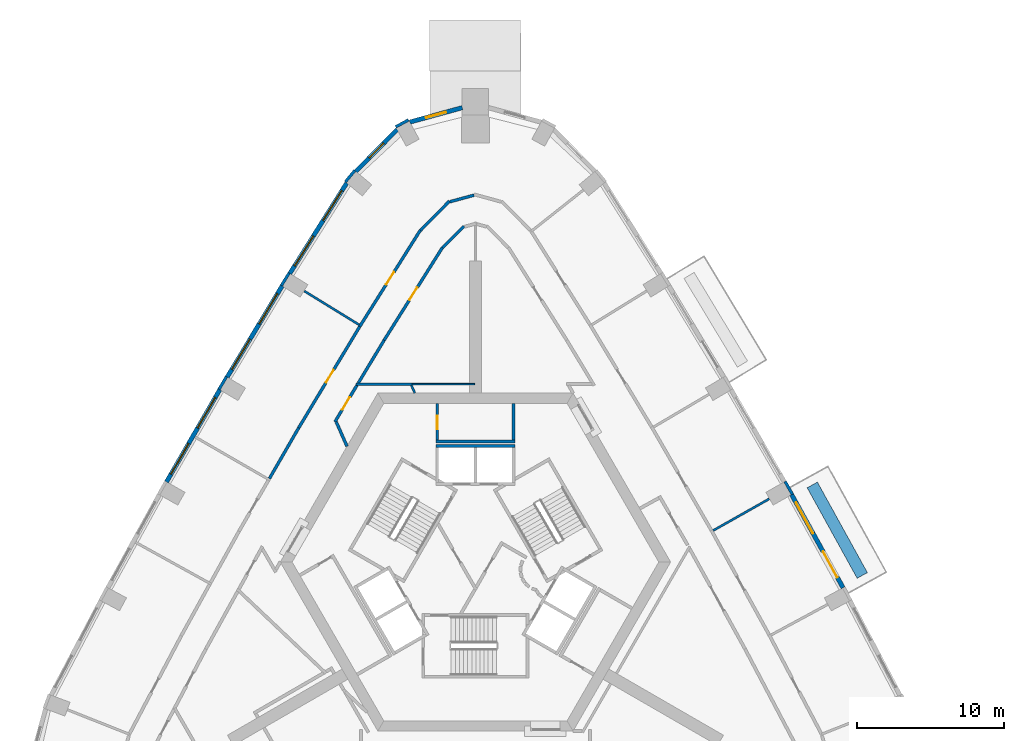
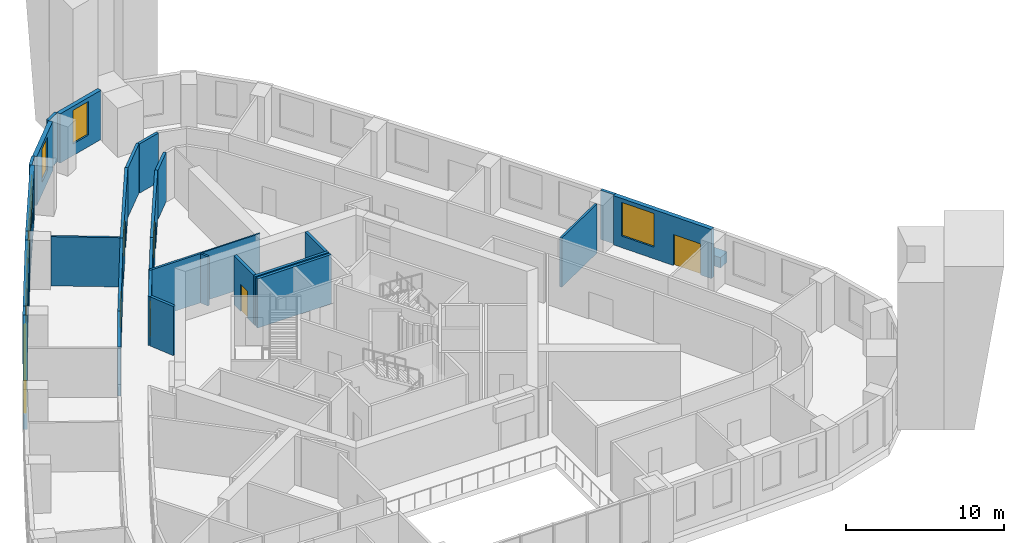
# One storey, part 8 of 13: 31 walls, 9 windows, 6 doors, 15 openings.
"""IFC4 building model written with IfcOpenShell, lengths in metres."""

from ifc_helpers import new_model, si_unit, direction, frame, frame_2d, origin, place, context, subcontext, project, spatial, rectangle, extrude, material, layer, layer_set, type_object, element, fill, save


model = new_model("IFC4")

# Units and contexts
model_context = context("Model", 3, precision=1e-05, world=origin(), true_north=direction((0.0, 1.0)))
body_context = subcontext(model_context, "Body", "Model", "MODEL_VIEW")
ifc_project = project(units=[si_unit("LENGTHUNIT", "METRE"), si_unit("AREAUNIT", "SQUARE_METRE"), si_unit("VOLUMEUNIT", "CUBIC_METRE"), si_unit("PLANEANGLEUNIT", "RADIAN"), si_unit("MASSUNIT", "GRAM", prefix="KILO")], contexts=[model_context])

# Site, building, storey
site_placement = place(None, origin())
site = spatial("IfcSite", under=ifc_project, at=site_placement, CompositionType="ELEMENT")
building_placement = place(site_placement, origin())
building = spatial("IfcBuilding", under=site, at=building_placement, Name="Entoto Arch Interchange Tower", CompositionType="ELEMENT")
storey_placement = place(building_placement, frame((0.0, 0.0, 202.39990234375)))
storey = spatial("IfcBuildingStorey", under=building, at=storey_placement, Name="L45", CompositionType="ELEMENT", Elevation=202.39990234375)

# Walls
ifc_material_1 = material(Name="Concrete C40/50", Category="concrete")
ifc_layer_1 = layer(ifc_material_1, 0.199951171875)
ifc_layer_set_1 = layer_set([ifc_layer_1], Name="Concrete C40/50")
wall_type_1 = type_object("IfcWallType", Name="LIFT SHAFT WALL 200", PredefinedType="STANDARD", material=ifc_layer_set_1)
wall_1_placement = place(storey_placement, frame((2.699951171875, 10.39990234375, 0.0), z_axis=(0.0, 0.0, 1.0), x_axis=(-1.0, 0.0, 0.0)))
element("IfcWall", 1, at=wall_1_placement, inside=storey, type_object=wall_type_1, Name="Shaft wall N1 back", PredefinedType="STANDARD", context=body_context, shape_type="SweptSolid", body=[
    extrude(rectangle(XDim=5.39990234375, YDim=0.199951171875, at=frame_2d((2.699951171875, 0.0))), origin(), (0.0, 0.0, 1.0), 3.800048828125),
])
ifc_material_2 = material(Name="Gypsum board partition on steel studs", Category="steel")
ifc_layer_2 = layer(ifc_material_2, 0.10009765625)
ifc_layer_set_2 = layer_set([ifc_layer_2], Name="Gypsum board partition on steel studs")
wall_type_2 = type_object("IfcWallType", Name="PARTITION 100", PredefinedType="PARTITIONING", material=ifc_layer_set_2)
wall_2_placement = place(storey_placement, frame((-4.31591796875, 14.612060546875, 0.0), z_axis=(0.0, 0.0, 1.0), x_axis=(1.0, 0.0, 0.0)))
element("IfcWall", 2, at=wall_2_placement, inside=storey, type_object=wall_type_2, Name="wall:L45:p097", PredefinedType="PARTITIONING", context=body_context, shape_type="SweptSolid", body=[
    extrude(rectangle(XDim=4.265869140625, YDim=0.10009765625, at=frame_2d((2.1328125, 0.0))), origin(), (0.0, 0.0, 1.0), 3.800048828125),
])
ifc_layer_3 = layer(ifc_material_2, 0.14990234375)
ifc_layer_set_3 = layer_set([ifc_layer_3], Name="Gypsum board partition on steel studs")
wall_type_3 = type_object("IfcWallType", Name="PARTITION 150", PredefinedType="PARTITIONING", material=ifc_layer_set_3)
wall_3_placement = place(storey_placement, frame((-4.125, 14.0, 0.0), z_axis=(0.0, 0.0, 1.0), x_axis=(-0.404850841056, 0.914382740703, 0.0)))
element("IfcWall", 3, at=wall_3_placement, inside=storey, type_object=wall_type_3, Name="wall:L45:p075", PredefinedType="PARTITIONING", context=body_context, shape_type="SweptSolid", body=[
    extrude(rectangle(XDim=0.580810546875, YDim=0.14990234375, at=frame_2d((0.29052734375, 0.0))), origin(), (0.0, 0.0, 1.0), 3.800048828125),
])
wall_4_placement = place(storey_placement, frame((-4.31591796875, 14.60009765625, 0.0), z_axis=(0.0, 0.0, 1.0), x_axis=(-1.0, 0.0, 0.0)))
element("IfcWall", 4, at=wall_4_placement, inside=storey, type_object=wall_type_3, Name="wall:L45:p076", PredefinedType="PARTITIONING", context=body_context, shape_type="SweptSolid", body=[
    extrude(rectangle(XDim=3.802001953125, YDim=0.14990234375, at=frame_2d((1.90087890625, 0.0))), origin(), (0.0, 0.0, 1.0), 3.800048828125),
])
wall_5_placement = place(storey_placement, frame((16.174072265625, 4.64599609375, 0.0), z_axis=(0.0, 0.0, 1.0), x_axis=(0.870725770229, 0.491768881752, 0.0)))
element("IfcWall", 5, at=wall_5_placement, inside=storey, type_object=wall_type_3, Name="wall:L45:p113", PredefinedType="PARTITIONING", context=body_context, shape_type="SweptSolid", body=[
    extrude(rectangle(XDim=4.380126953125, YDim=0.14990234375, at=frame_2d((2.18994140625, 0.0))), origin(), (0.0, 0.0, 1.0), 3.800048828125),
])
wall_6_placement = place(storey_placement, frame((-7.916015625, 18.64404296875, 0.0), z_axis=(0.0, 0.0, 1.0), x_axis=(-0.851543444049, 0.524284047914, 0.0)))
element("IfcWall", 6, at=wall_6_placement, inside=storey, type_object=wall_type_3, Name="wall:L45:p117", PredefinedType="PARTITIONING", context=body_context, shape_type="SweptSolid", body=[
    extrude(rectangle(XDim=4.379150390625, YDim=0.14990234375, at=frame_2d((2.189453125, 0.0))), origin(), (0.0, 0.0, 1.0), 3.800048828125),
])

# Wall, opening, door
ifc_layer_4 = layer(ifc_material_2, 0.199951171875)
ifc_layer_set_4 = layer_set([ifc_layer_4], Name="Gypsum board partition on steel studs")
wall_type_4 = type_object("IfcWallType", Name="PARTITION 200", PredefinedType="PARTITIONING", material=ifc_layer_set_4)
wall_7_placement = place(storey_placement, frame((-8.056884765625, 14.535888671875, 0.0), z_axis=(0.0, 0.0, 1.0), x_axis=(-0.516268010323, -0.856427078926, 0.0)))
wall_7 = element("IfcWall", 7, at=wall_7_placement, inside=storey, type_object=wall_type_4, Name="wall:L45:p001", PredefinedType="PARTITIONING", context=body_context, shape_type="SweptSolid", body=[
    extrude(rectangle(XDim=2.915283203125, YDim=0.199951171875, at=frame_2d((1.45751953125, 0.0))), origin(), (0.0, 0.0, 1.0), 3.800048828125),
])
opening_1_placement = place(wall_7_placement, frame((0.9580078125, 0.0, 0.0)))
opening_1 = element("IfcOpeningElement", 8, at=opening_1_placement, cuts=wall_7, Name="Opening L45-D25", PredefinedType="OPENING", context=body_context, shape_type="SweptSolid", body=[
    extrude(rectangle(XDim=1.0, YDim=2.10009765625, at=frame_2d((0.5, 1.050048828125))), frame((0.0, 0.10986328125, 0.0), z_axis=(0.0, -1.0, 0.0), x_axis=(1.0, 0.0, 0.0)), (0.0, 0.0, 1.0), 0.219970703125),
])
ifc_material_3 = material(Name="Timber door leaf in Steel S235 frame", Category="steel")
door_type_1 = type_object("IfcDoorType", Name="DOOR DS-10 1000x2100", OperationType="SINGLE_SWING_LEFT", PredefinedType="DOOR", material=ifc_material_3)
door_1_placement = place(opening_1_placement, origin())
door_1 = element("IfcDoor", 9, at=door_1_placement, inside=storey, type_object=door_type_1, Name="door:L45:25", OperationType="SINGLE_SWING_LEFT", OverallHeight=2.10009765625, OverallWidth=1.0, PredefinedType="DOOR", context=body_context, shape_type="SweptSolid", body=[
    extrude(rectangle(XDim=1.0, YDim=2.10009765625, at=frame_2d((0.5, 1.050048828125))), frame((0.0, 0.02490234375, 0.0), z_axis=(0.0, -1.0, 0.0), x_axis=(1.0, 0.0, 0.0)), (0.0, 0.0, 1.0), 0.050048828125),
])
fill(opening_1, door_1)

# Walls
wall_8_placement = place(storey_placement, frame((-9.469970703125, 12.032958984375, 0.0), z_axis=(0.0, 0.0, 1.0), x_axis=(0.40441741061, -0.914574522931, 0.0)))
element("IfcWall", 10, at=wall_8_placement, inside=storey, type_object=wall_type_4, Name="wall:L45:p002", PredefinedType="PARTITIONING", context=body_context, shape_type="SweptSolid", body=[
    extrude(rectangle(XDim=1.817138671875, YDim=0.199951171875, at=frame_2d((0.90869140625, 0.0))), origin(), (0.0, 0.0, 1.0), 3.800048828125),
])
wall_9_placement = place(storey_placement, frame((-0.778076171875, 25.35791015625, 0.0), z_axis=(0.0, 0.0, 1.0), x_axis=(-0.702245482258, -0.711934886523, 0.0)))
element("IfcWall", 11, at=wall_9_placement, inside=storey, type_object=wall_type_4, Name="wall:L45:p012", PredefinedType="PARTITIONING", context=body_context, shape_type="SweptSolid", body=[
    extrude(rectangle(XDim=2.066162109375, YDim=0.199951171875, at=frame_2d((1.033203125, 0.0))), origin(), (0.0, 0.0, 1.0), 3.800048828125),
])

# Wall, opening, door
wall_10_placement = place(storey_placement, frame((-2.24609375, 23.89990234375, 0.0), z_axis=(0.0, 0.0, 1.0), x_axis=(-0.532527247309, -0.846412860768, 0.0)))
wall_10 = element("IfcWall", 12, at=wall_10_placement, inside=storey, type_object=wall_type_4, Name="wall:L45:p013", PredefinedType="PARTITIONING", context=body_context, shape_type="SweptSolid", body=[
    extrude(rectangle(XDim=7.448974609375, YDim=0.199951171875, at=frame_2d((3.724609375, 0.0))), origin(), (0.0, 0.0, 1.0), 3.800048828125),
])
opening_2_placement = place(wall_10_placement, frame((3.22509765625, 0.0, 0.0)))
opening_2 = element("IfcOpeningElement", 13, at=opening_2_placement, cuts=wall_10, Name="Opening L45-D18", PredefinedType="OPENING", context=body_context, shape_type="SweptSolid", body=[
    extrude(rectangle(XDim=1.0, YDim=2.10009765625, at=frame_2d((0.5, 1.050048828125))), frame((0.0, 0.10986328125, 0.0), z_axis=(0.0, -1.0, 0.0), x_axis=(1.0, 0.0, 0.0)), (0.0, 0.0, 1.0), 0.219970703125),
])
door_2_placement = place(opening_2_placement, origin())
door_2 = element("IfcDoor", 14, at=door_2_placement, inside=storey, type_object=door_type_1, Name="door:L45:18", OperationType="SINGLE_SWING_LEFT", OverallHeight=2.10009765625, OverallWidth=1.0, PredefinedType="DOOR", context=body_context, shape_type="SweptSolid", body=[
    extrude(rectangle(XDim=1.0, YDim=2.10009765625, at=frame_2d((0.5, 1.050048828125))), frame((0.0, 0.02490234375, 0.0), z_axis=(0.0, -1.0, 0.0), x_axis=(1.0, 0.0, 0.0)), (0.0, 0.0, 1.0), 0.050048828125),
])
fill(opening_2, door_2)

# Wall
wall_11_placement = place(storey_placement, frame((-6.212890625, 17.594970703125, 0.0), z_axis=(0.0, 0.0, 1.0), x_axis=(-0.516121112316, -0.856515614231, 0.0)))
element("IfcWall", 15, at=wall_11_placement, inside=storey, type_object=wall_type_4, Name="wall:L45:p014", PredefinedType="PARTITIONING", context=body_context, shape_type="SweptSolid", body=[
    extrude(rectangle(XDim=3.421875, YDim=0.199951171875, at=frame_2d((1.7109375, 0.0))), origin(), (0.0, 0.0, 1.0), 3.800048828125),
])

# Wall, opening, door
wall_12_placement = place(storey_placement, frame((-7.87109375, 18.528076171875, 0.0), z_axis=(0.0, 0.0, 1.0), x_axis=(0.532587642146, 0.846374859878, 0.0)))
wall_12 = element("IfcWall", 16, at=wall_12_placement, inside=storey, type_object=wall_type_4, Name="wall:L45:p048", PredefinedType="PARTITIONING", context=body_context, shape_type="SweptSolid", body=[
    extrude(rectangle(XDim=7.749267578125, YDim=0.199951171875, at=frame_2d((3.87451171875, 0.0))), origin(), (0.0, 0.0, 1.0), 3.800048828125),
])
opening_3_placement = place(wall_12_placement, frame((3.375, 0.0, 0.0)))
opening_3 = element("IfcOpeningElement", 17, at=opening_3_placement, cuts=wall_12, Name="Opening L45-D09", PredefinedType="OPENING", context=body_context, shape_type="SweptSolid", body=[
    extrude(rectangle(XDim=1.0, YDim=2.10009765625, at=frame_2d((0.5, 1.050048828125))), frame((0.0, 0.10986328125, 0.0), z_axis=(0.0, -1.0, 0.0), x_axis=(1.0, 0.0, 0.0)), (0.0, 0.0, 1.0), 0.219970703125),
])
door_3_placement = place(opening_3_placement, origin())
door_3 = element("IfcDoor", 18, at=door_3_placement, inside=storey, type_object=door_type_1, Name="door:L45:09", OperationType="SINGLE_SWING_LEFT", OverallHeight=2.10009765625, OverallWidth=1.0, PredefinedType="DOOR", context=body_context, shape_type="SweptSolid", body=[
    extrude(rectangle(XDim=1.0, YDim=2.10009765625, at=frame_2d((0.5, 1.050048828125))), frame((0.0, 0.02490234375, 0.0), z_axis=(0.0, -1.0, 0.0), x_axis=(1.0, 0.0, 0.0)), (0.0, 0.0, 1.0), 0.050048828125),
])
fill(opening_3, door_3)

# Walls
wall_13_placement = place(storey_placement, frame((-3.72705078125, 25.073974609375, 0.0), z_axis=(0.0, 0.0, 1.0), x_axis=(0.702089218366, 0.712088989842, 0.0)))
element("IfcWall", 19, at=wall_13_placement, inside=storey, type_object=wall_type_4, Name="wall:L45:p049", PredefinedType="PARTITIONING", context=body_context, shape_type="SweptSolid", body=[
    extrude(rectangle(XDim=2.783203125, YDim=0.199951171875, at=frame_2d((1.3916015625, 0.0))), origin(), (0.0, 0.0, 1.0), 3.800048828125),
])
wall_14_placement = place(storey_placement, frame((-1.7470703125, 27.010986328125, 0.0), z_axis=(0.0, 0.0, 1.0), x_axis=(0.96452646446, 0.263986172662, 0.0)))
element("IfcWall", 20, at=wall_14_placement, inside=storey, type_object=wall_type_4, Name="wall:L45:p050", PredefinedType="PARTITIONING", context=body_context, shape_type="SweptSolid", body=[
    extrude(rectangle(XDim=1.7119140625, YDim=0.199951171875, at=frame_2d((0.85595703125, 0.0))), origin(), (0.0, 0.0, 1.0), 3.800048828125),
])
wall_15_placement = place(storey_placement, frame((-14.01904296875, 8.179931640625, 0.0), z_axis=(0.0, 0.0, 1.0), x_axis=(0.500089897431, 0.865973495257, 0.0)))
element("IfcWall", 21, at=wall_15_placement, inside=storey, type_object=wall_type_4, Name="wall:L45:p053", PredefinedType="PARTITIONING", context=body_context, shape_type="SweptSolid", body=[
    extrude(rectangle(XDim=3.987548828125, YDim=0.199951171875, at=frame_2d((1.99365234375, 0.0))), origin(), (0.0, 0.0, 1.0), 3.800048828125),
])

# Wall, opening, door
wall_16_placement = place(storey_placement, frame((-12.02490234375, 11.633056640625, 0.0), z_axis=(0.0, 0.0, 1.0), x_axis=(0.516283129542, 0.856417964636, 0.0)))
wall_16 = element("IfcWall", 22, at=wall_16_placement, inside=storey, type_object=wall_type_4, Name="wall:L45:p054", PredefinedType="PARTITIONING", context=body_context, shape_type="SweptSolid", body=[
    extrude(rectangle(XDim=8.0498046875, YDim=0.199951171875, at=frame_2d((4.02490234375, 0.0))), origin(), (0.0, 0.0, 1.0), 3.800048828125),
])
opening_4_placement = place(wall_16_placement, frame((3.60009765625, 0.0, 0.0)))
opening_4 = element("IfcOpeningElement", 23, at=opening_4_placement, cuts=wall_16, Name="Opening L45-D10", PredefinedType="OPENING", context=body_context, shape_type="SweptSolid", body=[
    extrude(rectangle(XDim=1.0, YDim=2.10009765625, at=frame_2d((0.5, 1.050048828125))), frame((0.0, 0.10986328125, 0.0), z_axis=(0.0, -1.0, 0.0), x_axis=(1.0, 0.0, 0.0)), (0.0, 0.0, 1.0), 0.219970703125),
])
door_4_placement = place(opening_4_placement, origin())
door_4 = element("IfcDoor", 24, at=door_4_placement, inside=storey, type_object=door_type_1, Name="door:L45:10", OperationType="SINGLE_SWING_LEFT", OverallHeight=2.10009765625, OverallWidth=1.0, PredefinedType="DOOR", context=body_context, shape_type="SweptSolid", body=[
    extrude(rectangle(XDim=1.0, YDim=2.10009765625, at=frame_2d((0.5, 1.050048828125))), frame((0.0, 0.02490234375, 0.0), z_axis=(0.0, -1.0, 0.0), x_axis=(1.0, 0.0, 0.0)), (0.0, 0.0, 1.0), 0.050048828125),
])
fill(opening_4, door_4)

wall_17_placement = place(storey_placement, frame((-2.60009765625, 10.800048828125, 0.0), z_axis=(0.0, 0.0, 1.0), x_axis=(0.0, 1.0, 0.0)))
wall_17 = element("IfcWall", 25, at=wall_17_placement, inside=storey, type_object=wall_type_4, Name="wall:L45:p066", PredefinedType="PARTITIONING", context=body_context, shape_type="SweptSolid", body=[
    extrude(rectangle(XDim=2.5, YDim=0.199951171875, at=frame_2d((1.25, 0.0))), origin(), (0.0, 0.0, 1.0), 3.800048828125),
])
opening_5_placement = place(wall_17_placement, frame((0.75, 0.0, 0.0)))
opening_5 = element("IfcOpeningElement", 26, at=opening_5_placement, cuts=wall_17, Name="Opening L45-D29", PredefinedType="OPENING", context=body_context, shape_type="SweptSolid", body=[
    extrude(rectangle(XDim=0.89990234375, YDim=2.10009765625, at=frame_2d((0.449951171875, 1.050048828125))), frame((0.0, 0.10986328125, 0.0), z_axis=(0.0, -1.0, 0.0), x_axis=(1.0, 0.0, 0.0)), (0.0, 0.0, 1.0), 0.219970703125),
])
door_type_2 = type_object("IfcDoorType", Name="DOOR DS-09 900x2100", OperationType="SINGLE_SWING_LEFT", PredefinedType="DOOR", material=ifc_material_3)
door_5_placement = place(opening_5_placement, origin())
door_5 = element("IfcDoor", 27, at=door_5_placement, inside=storey, type_object=door_type_2, Name="door:L45:29", OperationType="SINGLE_SWING_RIGHT", OverallHeight=2.10009765625, OverallWidth=0.89990234375, PredefinedType="DOOR", context=body_context, shape_type="SweptSolid", body=[
    extrude(rectangle(XDim=0.89990234375, YDim=2.10009765625, at=frame_2d((0.449951171875, 1.050048828125))), frame((0.0, 0.02490234375, 0.0), z_axis=(0.0, -1.0, 0.0), x_axis=(1.0, 0.0, 0.0)), (0.0, 0.0, 1.0), 0.050048828125),
])
fill(opening_5, door_5)

# Walls
wall_18_placement = place(storey_placement, frame((2.60009765625, 13.300048828125, 0.0), z_axis=(0.0, 0.0, 1.0), x_axis=(0.0, -1.0, 0.0)))
element("IfcWall", 28, at=wall_18_placement, inside=storey, type_object=wall_type_4, Name="wall:L45:p067", PredefinedType="PARTITIONING", context=body_context, shape_type="SweptSolid", body=[
    extrude(rectangle(XDim=2.5, YDim=0.199951171875, at=frame_2d((1.25, 0.0))), origin(), (0.0, 0.0, 1.0), 3.800048828125),
])
wall_19_placement = place(storey_placement, frame((2.699951171875, 10.699951171875, 0.0), z_axis=(0.0, 0.0, 1.0), x_axis=(-1.0, 0.0, 0.0)))
element("IfcWall", 29, at=wall_19_placement, inside=storey, type_object=wall_type_4, Name="wall:L45:p068", PredefinedType="PARTITIONING", context=body_context, shape_type="SweptSolid", body=[
    extrude(rectangle(XDim=5.39990234375, YDim=0.199951171875, at=frame_2d((2.699951171875, 0.0))), origin(), (0.0, 0.0, 1.0), 3.800048828125),
])
ifc_material_4 = material(Name="Board-marked precast concrete C50/60", Category="concrete")
ifc_layer_5 = layer(ifc_material_4, 0.800048828125)
ifc_layer_set_5 = layer_set([ifc_layer_5], Name="Board-marked precast concrete C50/60")
wall_type_5 = type_object("IfcWallType", Name="PLANTER RC 800 Olea europaea subsp. cuspidata", PredefinedType="STANDARD", material=ifc_layer_set_5)
wall_20_placement = place(storey_placement, frame((26.318115234375, 1.5869140625, 0.0), z_axis=(0.0, 0.0, 1.0), x_axis=(-0.483435790988, 0.875379823843, 0.0)))
element("IfcWall", 30, at=wall_20_placement, inside=storey, type_object=wall_type_5, Name="Planter NE-02 L45", PredefinedType="STANDARD", context=body_context, shape_type="SweptSolid", body=[
    extrude(rectangle(XDim=7.039306640625, YDim=0.800048828125, at=frame_2d((3.51953125, 0.0))), origin(), (0.0, 0.0, 1.0), 0.800048828125),
])

# Wall, openings, door, window
ifc_material_5 = material(Name="Welded tuff (ignimbrite) cladding, warm buff", Category="masonry")
ifc_layer_6 = layer(ifc_material_5, 0.300048828125)
ifc_layer_set_6 = layer_set([ifc_layer_6], Name="Welded tuff (ignimbrite) cladding, warm buff")
wall_type_6 = type_object("IfcWallType", Name="STONE INFILL WALL 300", PredefinedType="STANDARD", material=ifc_layer_set_6)
wall_21_placement = place(storey_placement, frame((25.010009765625, 0.7509765625, 0.0), z_axis=(0.0, 0.0, 1.0), x_axis=(-0.483590905878, 0.875294142419, 0.0)))
wall_21 = element("IfcWall", 31, at=wall_21_placement, inside=storey, type_object=wall_type_6, Name="Facade wall NE-02 L45", PredefinedType="STANDARD", context=body_context, shape_type="SweptSolid", body=[
    extrude(rectangle(XDim=7.237548828125, YDim=0.300048828125, at=frame_2d((3.61865234375, 0.0))), origin(), (0.0, 0.0, 1.0), 3.800048828125),
])
opening_6_placement = place(wall_21_placement, frame((0.80908203125, 0.0, 0.0)))
opening_6 = element("IfcOpeningElement", 32, at=opening_6_placement, cuts=wall_21, Name="Opening DB-NE-02-L45", PredefinedType="OPENING", context=body_context, shape_type="SweptSolid", body=[
    extrude(rectangle(XDim=2.0, YDim=2.39990234375, at=frame_2d((1.0, 1.199951171875))), frame((0.0, 0.16015625, 0.0), z_axis=(0.0, -1.0, 0.0), x_axis=(1.0, 0.0, 0.0)), (0.0, 0.0, 1.0), 0.320068359375),
])
opening_7_placement = place(wall_21_placement, frame((4.22802734375, 0.0, 0.89990234375)))
opening_7 = element("IfcOpeningElement", 33, at=opening_7_placement, cuts=wall_21, Name="Opening WO-A", PredefinedType="OPENING", context=body_context, shape_type="SweptSolid", body=[
    extrude(rectangle(XDim=2.39990234375, YDim=2.60009765625, at=frame_2d((1.199951171875, 1.300048828125))), frame((0.0, 0.16015625, 0.0), z_axis=(0.0, -1.0, 0.0), x_axis=(1.0, 0.0, 0.0)), (0.0, 0.0, 1.0), 0.320068359375),
])
ifc_material_6 = material(Name="Aluminium and clear glass, anodised", Category="aluminium")
door_type_3 = type_object("IfcDoorType", Name="BALCONY DOOR DB 2000x2400", OperationType="SLIDING_TO_LEFT", PredefinedType="DOOR", material=ifc_material_6)
door_6_placement = place(opening_6_placement, origin())
door_6 = element("IfcDoor", 34, at=door_6_placement, inside=storey, type_object=door_type_3, Name="Balcony door NE-02 L45", OperationType="SLIDING_TO_LEFT", OverallHeight=2.39990234375, OverallWidth=2.0, PredefinedType="DOOR", context=body_context, shape_type="SweptSolid", body=[
    extrude(rectangle(XDim=2.0, YDim=2.39990234375, at=frame_2d((1.0, 1.199951171875))), frame((0.0, 0.02490234375, 0.0), z_axis=(0.0, -1.0, 0.0), x_axis=(1.0, 0.0, 0.0)), (0.0, 0.0, 1.0), 0.050048828125),
])
fill(opening_6, door_6)
ifc_material_7 = material(Name="Clear glass, low-e double glazed", Category="glass")
window_type_1 = type_object("IfcWindowType", Name="WINDOW WO-A 2400x2600", PartitioningType="DOUBLE_PANEL_VERTICAL", PredefinedType="WINDOW", material=ifc_material_7)
window_1_placement = place(opening_7_placement, origin())
window_1 = element("IfcWindow", 35, at=window_1_placement, inside=storey, type_object=window_type_1, Name="Window WO-A NE-02 L45", OverallHeight=2.60009765625, OverallWidth=2.39990234375, PartitioningType="SINGLE_PANEL", PredefinedType="WINDOW", context=body_context, shape_type="SweptSolid", body=[
    extrude(rectangle(XDim=2.39990234375, YDim=2.60009765625, at=frame_2d((1.199951171875, 1.300048828125))), frame((0.0, 0.030029296875, 0.0), z_axis=(0.0, -1.0, 0.0), x_axis=(1.0, 0.0, 0.0)), (0.0, 0.0, 1.0), 0.06005859375),
])
fill(opening_7, window_1)

# Wall, opening, window
wall_22_placement = place(storey_placement, frame((-0.89892578125, 33.4130859375, 0.0), z_axis=(0.0, 0.0, 1.0), x_axis=(-0.964377639434, -0.264529334026, 0.0)))
wall_22 = element("IfcWall", 36, at=wall_22_placement, inside=storey, type_object=wall_type_6, Name="Facade wall N-03 L45", PredefinedType="STANDARD", context=body_context, shape_type="SweptSolid", body=[
    extrude(rectangle(XDim=3.700927734375, YDim=0.300048828125, at=frame_2d((1.8505859375, 0.0))), origin(), (0.0, 0.0, 1.0), 3.800048828125),
])
opening_8_placement = place(wall_22_placement, frame((1.14990234375, 0.0, 0.89990234375)))
opening_8 = element("IfcOpeningElement", 37, at=opening_8_placement, cuts=wall_22, Name="Opening WO-B", PredefinedType="OPENING", context=body_context, shape_type="SweptSolid", body=[
    extrude(rectangle(XDim=1.39990234375, YDim=2.60009765625, at=frame_2d((0.699951171875, 1.300048828125))), frame((0.0, 0.16015625, 0.0), z_axis=(0.0, -1.0, 0.0), x_axis=(1.0, 0.0, 0.0)), (0.0, 0.0, 1.0), 0.320068359375),
])
window_type_2 = type_object("IfcWindowType", Name="WINDOW WO-B 1400x2600", PartitioningType="DOUBLE_PANEL_VERTICAL", PredefinedType="WINDOW", material=ifc_material_7)
window_2_placement = place(opening_8_placement, origin())
window_2 = element("IfcWindow", 38, at=window_2_placement, inside=storey, type_object=window_type_2, Name="Window WO-B N-03 L45", OverallHeight=2.60009765625, OverallWidth=1.39990234375, PartitioningType="SINGLE_PANEL", PredefinedType="WINDOW", context=body_context, shape_type="SweptSolid", body=[
    extrude(rectangle(XDim=1.39990234375, YDim=2.60009765625, at=frame_2d((0.699951171875, 1.300048828125))), frame((0.0, 0.030029296875, 0.0), z_axis=(0.0, -1.0, 0.0), x_axis=(1.0, 0.0, 0.0)), (0.0, 0.0, 1.0), 0.06005859375),
])
fill(opening_8, window_2)

wall_23_placement = place(storey_placement, frame((-5.326904296875, 31.925048828125, 0.0), z_axis=(0.0, 0.0, 1.0), x_axis=(-0.70209072612, -0.712087503258, 0.0)))
wall_23 = element("IfcWall", 39, at=wall_23_placement, inside=storey, type_object=wall_type_6, Name="Facade wall N-04 L45", PredefinedType="STANDARD", context=body_context, shape_type="SweptSolid", body=[
    extrude(rectangle(XDim=4.005126953125, YDim=0.300048828125, at=frame_2d((2.00244140625, 0.0))), origin(), (0.0, 0.0, 1.0), 3.800048828125),
])
opening_9_placement = place(wall_23_placement, frame((1.302978515625, 0.0, 0.89990234375)))
opening_9 = element("IfcOpeningElement", 40, at=opening_9_placement, cuts=wall_23, Name="Opening WO-B", PredefinedType="OPENING", context=body_context, shape_type="SweptSolid", body=[
    extrude(rectangle(XDim=1.39990234375, YDim=2.60009765625, at=frame_2d((0.699951171875, 1.300048828125))), frame((0.0, 0.16015625, 0.0), z_axis=(0.0, -1.0, 0.0), x_axis=(1.0, 0.0, 0.0)), (0.0, 0.0, 1.0), 0.320068359375),
])
window_3_placement = place(opening_9_placement, origin())
window_3 = element("IfcWindow", 41, at=window_3_placement, inside=storey, type_object=window_type_2, Name="Window WO-B N-04 L45", OverallHeight=2.60009765625, OverallWidth=1.39990234375, PartitioningType="SINGLE_PANEL", PredefinedType="WINDOW", context=body_context, shape_type="SweptSolid", body=[
    extrude(rectangle(XDim=1.39990234375, YDim=2.60009765625, at=frame_2d((0.699951171875, 1.300048828125))), frame((0.0, 0.030029296875, 0.0), z_axis=(0.0, -1.0, 0.0), x_axis=(1.0, 0.0, 0.0)), (0.0, 0.0, 1.0), 0.06005859375),
])
fill(opening_9, window_3)

# Wall, openings, windows
wall_24_placement = place(storey_placement, frame((-8.759033203125, 28.2900390625, 0.0), z_axis=(0.0, 0.0, 1.0), x_axis=(-0.532522107002, -0.84641609481, 0.0)))
wall_24 = element("IfcWall", 42, at=wall_24_placement, inside=storey, type_object=wall_type_6, Name="Facade wall NW-01 L45", PredefinedType="STANDARD", context=body_context, shape_type="SweptSolid", body=[
    extrude(rectangle(XDim=7.27294921875, YDim=0.300048828125, at=frame_2d((3.636474609375, 0.0))), origin(), (0.0, 0.0, 1.0), 3.800048828125),
])
opening_10_placement = place(wall_24_placement, frame((0.617919921875, 0.0, 0.89990234375)))
opening_10 = element("IfcOpeningElement", 43, at=opening_10_placement, cuts=wall_24, Name="Opening WO-A", PredefinedType="OPENING", context=body_context, shape_type="SweptSolid", body=[
    extrude(rectangle(XDim=2.39990234375, YDim=2.60009765625, at=frame_2d((1.199951171875, 1.300048828125))), frame((0.0, 0.16015625, 0.0), z_axis=(0.0, -1.0, 0.0), x_axis=(1.0, 0.0, 0.0)), (0.0, 0.0, 1.0), 0.320068359375),
])
opening_11_placement = place(wall_24_placement, frame((4.2548828125, 0.0, 0.89990234375)))
opening_11 = element("IfcOpeningElement", 44, at=opening_11_placement, cuts=wall_24, Name="Opening WO-A", PredefinedType="OPENING", context=body_context, shape_type="SweptSolid", body=[
    extrude(rectangle(XDim=2.39990234375, YDim=2.60009765625, at=frame_2d((1.199951171875, 1.300048828125))), frame((0.0, 0.16015625, 0.0), z_axis=(0.0, -1.0, 0.0), x_axis=(1.0, 0.0, 0.0)), (0.0, 0.0, 1.0), 0.320068359375),
])
window_4_placement = place(opening_10_placement, origin())
window_4 = element("IfcWindow", 45, at=window_4_placement, inside=storey, type_object=window_type_1, Name="Window WO-A NW-01 L45", OverallHeight=2.60009765625, OverallWidth=2.39990234375, PartitioningType="SINGLE_PANEL", PredefinedType="WINDOW", context=body_context, shape_type="SweptSolid", body=[
    extrude(rectangle(XDim=2.39990234375, YDim=2.60009765625, at=frame_2d((1.199951171875, 1.300048828125))), frame((0.0, 0.030029296875, 0.0), z_axis=(0.0, -1.0, 0.0), x_axis=(1.0, 0.0, 0.0)), (0.0, 0.0, 1.0), 0.06005859375),
])
fill(opening_10, window_4)
window_5_placement = place(opening_11_placement, origin())
window_5 = element("IfcWindow", 46, at=window_5_placement, inside=storey, type_object=window_type_1, Name="Window WO-A NW-01 L45", OverallHeight=2.60009765625, OverallWidth=2.39990234375, PartitioningType="SINGLE_PANEL", PredefinedType="WINDOW", context=body_context, shape_type="SweptSolid", body=[
    extrude(rectangle(XDim=2.39990234375, YDim=2.60009765625, at=frame_2d((1.199951171875, 1.300048828125))), frame((0.0, 0.030029296875, 0.0), z_axis=(0.0, -1.0, 0.0), x_axis=(1.0, 0.0, 0.0)), (0.0, 0.0, 1.0), 0.06005859375),
])
fill(opening_11, window_5)

wall_25_placement = place(storey_placement, frame((-13.155029296875, 21.283935546875, 0.0), z_axis=(0.0, 0.0, 1.0), x_axis=(-0.516230553484, -0.856449657394, 0.0)))
wall_25 = element("IfcWall", 47, at=wall_25_placement, inside=storey, type_object=wall_type_6, Name="Facade wall NW-02 L45", PredefinedType="STANDARD", context=body_context, shape_type="SweptSolid", body=[
    extrude(rectangle(XDim=7.239013671875, YDim=0.300048828125, at=frame_2d((3.61962890625, 0.0))), origin(), (0.0, 0.0, 1.0), 3.800048828125),
])
opening_12_placement = place(wall_25_placement, frame((0.610107421875, 0.0, 0.89990234375)))
opening_12 = element("IfcOpeningElement", 48, at=opening_12_placement, cuts=wall_25, Name="Opening WO-A", PredefinedType="OPENING", context=body_context, shape_type="SweptSolid", body=[
    extrude(rectangle(XDim=2.39990234375, YDim=2.60009765625, at=frame_2d((1.199951171875, 1.300048828125))), frame((0.0, 0.16015625, 0.0), z_axis=(0.0, -1.0, 0.0), x_axis=(1.0, 0.0, 0.0)), (0.0, 0.0, 1.0), 0.320068359375),
])
opening_13_placement = place(wall_25_placement, frame((4.22900390625, 0.0, 0.89990234375)))
opening_13 = element("IfcOpeningElement", 49, at=opening_13_placement, cuts=wall_25, Name="Opening WO-A", PredefinedType="OPENING", context=body_context, shape_type="SweptSolid", body=[
    extrude(rectangle(XDim=2.39990234375, YDim=2.60009765625, at=frame_2d((1.199951171875, 1.300048828125))), frame((0.0, 0.16015625, 0.0), z_axis=(0.0, -1.0, 0.0), x_axis=(1.0, 0.0, 0.0)), (0.0, 0.0, 1.0), 0.320068359375),
])
window_6_placement = place(opening_12_placement, origin())
window_6 = element("IfcWindow", 50, at=window_6_placement, inside=storey, type_object=window_type_1, Name="Window WO-A NW-02 L45", OverallHeight=2.60009765625, OverallWidth=2.39990234375, PartitioningType="SINGLE_PANEL", PredefinedType="WINDOW", context=body_context, shape_type="SweptSolid", body=[
    extrude(rectangle(XDim=2.39990234375, YDim=2.60009765625, at=frame_2d((1.199951171875, 1.300048828125))), frame((0.0, 0.030029296875, 0.0), z_axis=(0.0, -1.0, 0.0), x_axis=(1.0, 0.0, 0.0)), (0.0, 0.0, 1.0), 0.06005859375),
])
fill(opening_12, window_6)
window_7_placement = place(opening_13_placement, origin())
window_7 = element("IfcWindow", 51, at=window_7_placement, inside=storey, type_object=window_type_1, Name="Window WO-A NW-02 L45", OverallHeight=2.60009765625, OverallWidth=2.39990234375, PartitioningType="SINGLE_PANEL", PredefinedType="WINDOW", context=body_context, shape_type="SweptSolid", body=[
    extrude(rectangle(XDim=2.39990234375, YDim=2.60009765625, at=frame_2d((1.199951171875, 1.300048828125))), frame((0.0, 0.030029296875, 0.0), z_axis=(0.0, -1.0, 0.0), x_axis=(1.0, 0.0, 0.0)), (0.0, 0.0, 1.0), 0.06005859375),
])
fill(opening_13, window_7)

wall_26_placement = place(storey_placement, frame((-17.39892578125, 14.22509765625, 0.0), z_axis=(0.0, 0.0, 1.0), x_axis=(-0.500012402131, -0.866018243292, 0.0)))
wall_26 = element("IfcWall", 52, at=wall_26_placement, inside=storey, type_object=wall_type_6, Name="Facade wall NW-03 L45", PredefinedType="STANDARD", context=body_context, shape_type="SweptSolid", body=[
    extrude(rectangle(XDim=7.239990234375, YDim=0.300048828125, at=frame_2d((3.6201171875, 0.0))), origin(), (0.0, 0.0, 1.0), 3.800048828125),
])
opening_14_placement = place(wall_26_placement, frame((0.610107421875, 0.0, 0.89990234375)))
opening_14 = element("IfcOpeningElement", 53, at=opening_14_placement, cuts=wall_26, Name="Opening WO-A", PredefinedType="OPENING", context=body_context, shape_type="SweptSolid", body=[
    extrude(rectangle(XDim=2.39990234375, YDim=2.60009765625, at=frame_2d((1.199951171875, 1.300048828125))), frame((0.0, 0.16015625, 0.0), z_axis=(0.0, -1.0, 0.0), x_axis=(1.0, 0.0, 0.0)), (0.0, 0.0, 1.0), 0.320068359375),
])
opening_15_placement = place(wall_26_placement, frame((4.22998046875, 0.0, 0.89990234375)))
opening_15 = element("IfcOpeningElement", 54, at=opening_15_placement, cuts=wall_26, Name="Opening WO-A", PredefinedType="OPENING", context=body_context, shape_type="SweptSolid", body=[
    extrude(rectangle(XDim=2.39990234375, YDim=2.60009765625, at=frame_2d((1.199951171875, 1.300048828125))), frame((0.0, 0.16015625, 0.0), z_axis=(0.0, -1.0, 0.0), x_axis=(1.0, 0.0, 0.0)), (0.0, 0.0, 1.0), 0.320068359375),
])
window_8_placement = place(opening_14_placement, origin())
window_8 = element("IfcWindow", 55, at=window_8_placement, inside=storey, type_object=window_type_1, Name="Window WO-A NW-03 L45", OverallHeight=2.60009765625, OverallWidth=2.39990234375, PartitioningType="SINGLE_PANEL", PredefinedType="WINDOW", context=body_context, shape_type="SweptSolid", body=[
    extrude(rectangle(XDim=2.39990234375, YDim=2.60009765625, at=frame_2d((1.199951171875, 1.300048828125))), frame((0.0, 0.030029296875, 0.0), z_axis=(0.0, -1.0, 0.0), x_axis=(1.0, 0.0, 0.0)), (0.0, 0.0, 1.0), 0.06005859375),
])
fill(opening_14, window_8)
window_9_placement = place(opening_15_placement, origin())
window_9 = element("IfcWindow", 56, at=window_9_placement, inside=storey, type_object=window_type_1, Name="Window WO-A NW-03 L45", OverallHeight=2.60009765625, OverallWidth=2.39990234375, PartitioningType="SINGLE_PANEL", PredefinedType="WINDOW", context=body_context, shape_type="SweptSolid", body=[
    extrude(rectangle(XDim=2.39990234375, YDim=2.60009765625, at=frame_2d((1.199951171875, 1.300048828125))), frame((0.0, 0.030029296875, 0.0), z_axis=(0.0, -1.0, 0.0), x_axis=(1.0, 0.0, 0.0)), (0.0, 0.0, 1.0), 0.06005859375),
])
fill(opening_15, window_9)

# Walls
ifc_layer_7 = layer(ifc_material_5, 0.199951171875)
ifc_layer_set_7 = layer_set([ifc_layer_7], Name="Welded tuff (ignimbrite) cladding, warm buff")
wall_type_7 = type_object("IfcWallType", Name="STONE PIER CLADDING 200", PredefinedType="STANDARD", material=ifc_layer_set_7)
wall_27_placement = place(storey_placement, frame((-4.549072265625, 32.5849609375, 0.0), z_axis=(0.0, 0.0, 1.0), x_axis=(-0.878250009632, -0.478201757191, 0.0)))
element("IfcWall", 57, at=wall_27_placement, inside=storey, type_object=wall_type_7, Name="Stone pier N3 L45", PredefinedType="STANDARD", context=body_context, shape_type="SweptSolid", body=[
    extrude(rectangle(XDim=0.999755859375, YDim=0.199951171875, at=frame_2d((0.5, 0.0))), origin(), (0.0, 0.0, 1.0), 3.800048828125),
])
wall_28_placement = place(storey_placement, frame((21.55810546875, 7.112060546875, 0.0), z_axis=(0.0, 0.0, 1.0), x_axis=(-0.492033129803, 0.870576475202, 0.0)))
element("IfcWall", 58, at=wall_28_placement, inside=storey, type_object=wall_type_7, Name="Stone pier NE03 L45", PredefinedType="STANDARD", context=body_context, shape_type="SweptSolid", body=[
    extrude(rectangle(XDim=1.000244140625, YDim=0.199951171875, at=frame_2d((0.5, 0.0))), origin(), (0.0, 0.0, 1.0), 3.800048828125),
])
wall_29_placement = place(storey_placement, frame((-8.2109375, 29.134033203125, 0.0), z_axis=(0.0, 0.0, 1.0), x_axis=(-0.638117112481, -0.769939316283, 0.0)))
element("IfcWall", 59, at=wall_29_placement, inside=storey, type_object=wall_type_7, Name="Stone pier NW01 L45", PredefinedType="STANDARD", context=body_context, shape_type="SweptSolid", body=[
    extrude(rectangle(XDim=1.0, YDim=0.199951171875, at=frame_2d((0.5, 0.0))), origin(), (0.0, 0.0, 1.0), 3.800048828125),
])
wall_30_placement = place(storey_placement, frame((-12.677001953125, 22.1630859375, 0.0), z_axis=(0.0, 0.0, 1.0), x_axis=(-0.525648735675, -0.850701714282, 0.0)))
element("IfcWall", 60, at=wall_30_placement, inside=storey, type_object=wall_type_7, Name="Stone pier NW02 L45", PredefinedType="STANDARD", context=body_context, shape_type="SweptSolid", body=[
    extrude(rectangle(XDim=1.00048828125, YDim=0.199951171875, at=frame_2d((0.500244140625, 0.0))), origin(), (0.0, 0.0, 1.0), 3.800048828125),
])
wall_31_placement = place(storey_placement, frame((-16.93896484375, 15.113037109375, 0.0), z_axis=(0.0, 0.0, 1.0), x_axis=(-0.508161541526, -0.861261776531, 0.0)))
element("IfcWall", 61, at=wall_31_placement, inside=storey, type_object=wall_type_7, Name="Stone pier NW03 L45", PredefinedType="STANDARD", context=body_context, shape_type="SweptSolid", body=[
    extrude(rectangle(XDim=0.999755859375, YDim=0.199951171875, at=frame_2d((0.5, 0.0))), origin(), (0.0, 0.0, 1.0), 3.800048828125),
])

save(model, "model.ifc")
